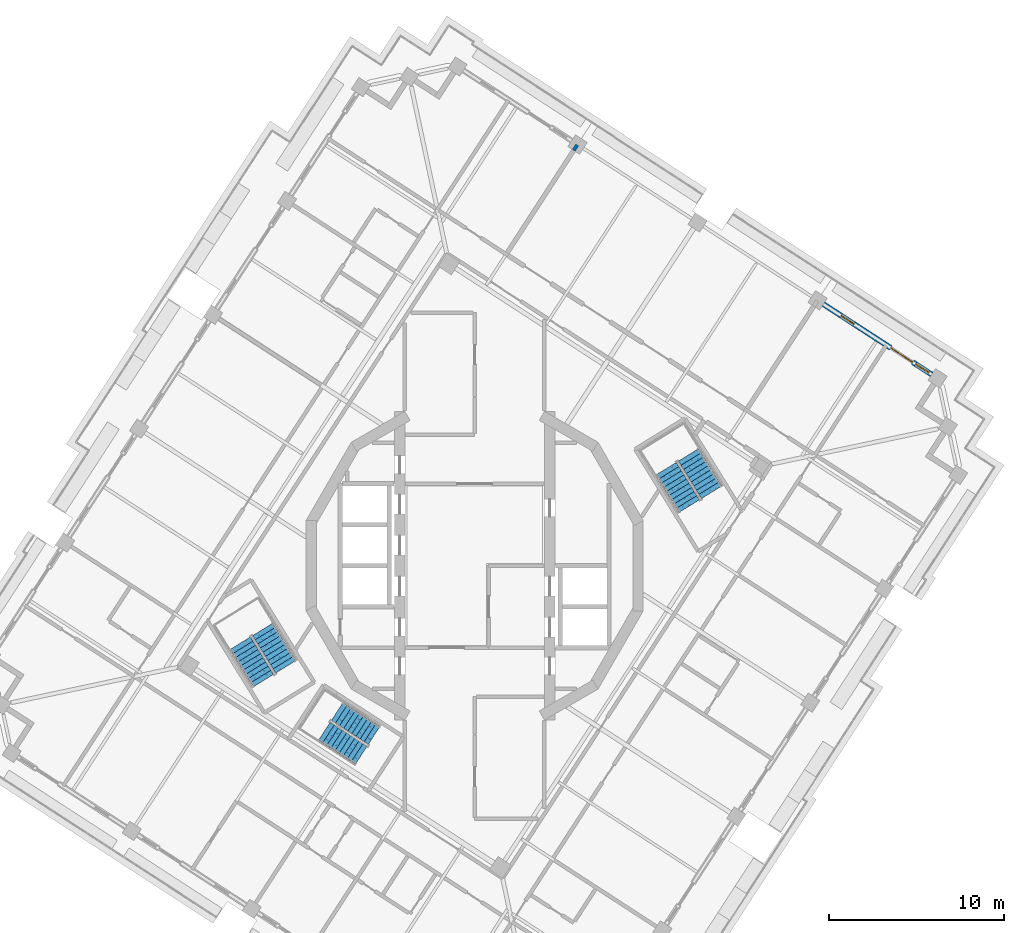
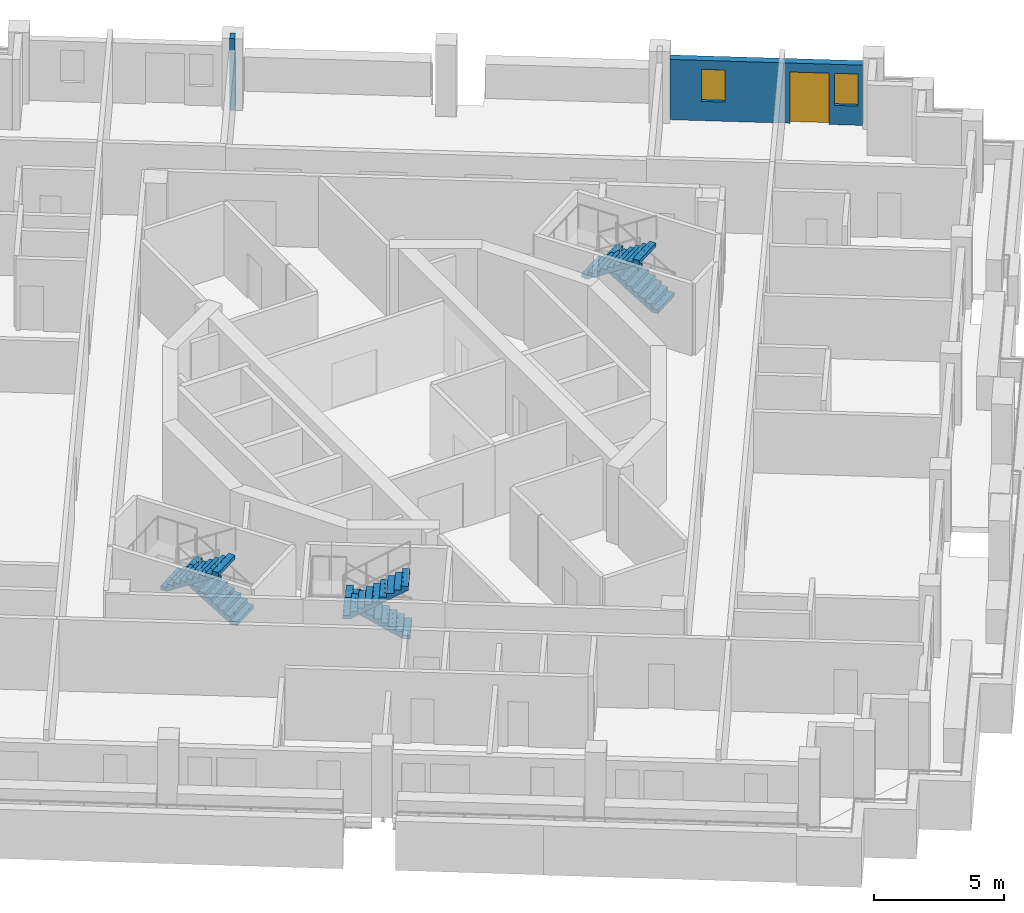
# One storey, part 10 of 15: 6 stair flights, 2 walls, 2 windows, 1 door, 3 openings, 3 elements without a shape of their own.
"""IFC4 building model written with IfcOpenShell, lengths in metres."""

from ifc_helpers import new_model, si_unit, direction, frame, frame_2d, origin, place, context, subcontext, project, spatial, polyline, rectangle, outline, extrude, material, layer, layer_set, type_object, element, fill, aggregate, save


model = new_model("IFC4")

# Units and contexts
model_context = context("Model", 3, precision=1e-05, world=origin(), true_north=direction((0.0, 1.0)))
body_context = subcontext(model_context, "Body", "Model", "MODEL_VIEW")
ifc_project = project(units=[si_unit("LENGTHUNIT", "METRE"), si_unit("AREAUNIT", "SQUARE_METRE"), si_unit("VOLUMEUNIT", "CUBIC_METRE"), si_unit("PLANEANGLEUNIT", "RADIAN"), si_unit("MASSUNIT", "GRAM", prefix="KILO")], contexts=[model_context])

# Site, building, storey
site_placement = place(None, origin())
site = spatial("IfcSite", under=ifc_project, at=site_placement, CompositionType="ELEMENT")
building_placement = place(site_placement, origin())
building = spatial("IfcBuilding", under=site, at=building_placement, Name="Cantera Rosa Tower", CompositionType="ELEMENT")
storey_placement = place(building_placement, frame((0.0, 0.0, 272.10009765625)))
storey = spatial("IfcBuildingStorey", under=building, at=storey_placement, Name="L61", CompositionType="ELEMENT", Elevation=272.10009765625)

# Wall, openings, windows, door
ifc_material_1 = material(Name="Hollow clay masonry with cantera stone cladding", Category="masonry")
ifc_layer_1 = layer(ifc_material_1, 0.300048828125)
ifc_layer_set_1 = layer_set([ifc_layer_1], Name="EW-LOGGIA 300 H2820")
wall_type_1 = type_object("IfcWallType", Name="EW-LOGGIA 300 H2820", PredefinedType="SOLIDWALL", material=ifc_layer_set_1)
wall_1_placement = place(storey_placement, frame((26.1904296875, 10.95263671875, 0.0), z_axis=(0.0, 0.0, 1.0), x_axis=(-0.838669679097, 0.544640403719, 0.0)))
wall_1 = element("IfcWall", 1, at=wall_1_placement, inside=storey, type_object=wall_type_1, Name="EN-L61-W01", PredefinedType="SOLIDWALL", context=body_context, shape_type="SweptSolid", body=[
    extrude(rectangle(XDim=7.39990234375, YDim=0.300048828125, at=frame_2d((3.699951171875, 0.0))), origin(), (0.0, 0.0, 1.0), 2.81982421875),
])
opening_1_placement = place(wall_1_placement, frame((0.199951171875, 0.0, 0.89990234375)))
opening_1 = element("IfcOpeningElement", 2, at=opening_1_placement, cuts=wall_1, Name="Opening L61-W01", PredefinedType="OPENING", context=body_context, shape_type="SweptSolid", body=[
    extrude(rectangle(XDim=0.89990234375, YDim=1.5, at=frame_2d((0.449951171875, 0.75))), frame((0.0, 0.159912109375, 0.0), z_axis=(0.0, -1.0, 0.0), x_axis=(1.0, 0.0, 0.0)), (0.0, 0.0, 1.0), 0.320068359375),
])
opening_2_placement = place(wall_1_placement, frame((1.300048828125, 0.0, 0.0)))
opening_2 = element("IfcOpeningElement", 3, at=opening_2_placement, cuts=wall_1, Name="Opening L61-TD02", PredefinedType="OPENING", context=body_context, shape_type="SweptSolid", body=[
    extrude(rectangle(XDim=1.5, YDim=2.39990234375, at=frame_2d((0.75, 1.199951171875))), frame((0.0, 0.159912109375, 0.0), z_axis=(0.0, -1.0, 0.0), x_axis=(1.0, 0.0, 0.0)), (0.0, 0.0, 1.0), 0.320068359375),
])
opening_3_placement = place(wall_1_placement, frame((5.300048828125, 0.0, 0.89990234375)))
opening_3 = element("IfcOpeningElement", 4, at=opening_3_placement, cuts=wall_1, Name="Opening L61-W03", PredefinedType="OPENING", context=body_context, shape_type="SweptSolid", body=[
    extrude(rectangle(XDim=0.89990234375, YDim=1.5, at=frame_2d((0.449951171875, 0.75))), frame((0.0, 0.159912109375, 0.0), z_axis=(0.0, -1.0, 0.0), x_axis=(1.0, 0.0, 0.0)), (0.0, 0.0, 1.0), 0.320068359375),
])
ifc_material_2 = material(Name="Aluminium frame with clear glass", Category="aluminium")
window_type = type_object("IfcWindowType", Name="Residential window 900x1500", PartitioningType="SINGLE_PANEL", PredefinedType="WINDOW", material=ifc_material_2)
window_1_placement = place(opening_1_placement, origin())
window_1 = element("IfcWindow", 5, at=window_1_placement, inside=storey, type_object=window_type, Name="WINDOW L61-W01", OverallHeight=1.5, OverallWidth=0.89990234375, PartitioningType="SINGLE_PANEL", PredefinedType="WINDOW", context=body_context, shape_type="SweptSolid", body=[
    extrude(rectangle(XDim=0.89990234375, YDim=1.5, at=frame_2d((0.449951171875, 0.75))), frame((0.0, 0.030029296875, 0.0), z_axis=(0.0, -1.0, 0.0), x_axis=(1.0, 0.0, 0.0)), (0.0, 0.0, 1.0), 0.06005859375),
])
fill(opening_1, window_1)
window_2_placement = place(opening_3_placement, origin())
window_2 = element("IfcWindow", 6, at=window_2_placement, inside=storey, type_object=window_type, Name="WINDOW L61-W03", OverallHeight=1.5, OverallWidth=0.89990234375, PartitioningType="SINGLE_PANEL", PredefinedType="WINDOW", context=body_context, shape_type="SweptSolid", body=[
    extrude(rectangle(XDim=0.89990234375, YDim=1.5, at=frame_2d((0.449951171875, 0.75))), frame((0.0, 0.030029296875, 0.0), z_axis=(0.0, -1.0, 0.0), x_axis=(1.0, 0.0, 0.0)), (0.0, 0.0, 1.0), 0.06005859375),
])
fill(opening_3, window_2)
ifc_material_3 = material(Name="Aluminium frame with clear glass", Category="aluminium")
door_type = type_object("IfcDoorType", Name="TD-R 1500x2400", OperationType="NOTDEFINED", PredefinedType="DOOR", material=ifc_material_3)
door_placement = place(opening_2_placement, origin())
door = element("IfcDoor", 7, at=door_placement, inside=storey, type_object=door_type, Name="LOGGIA DOOR L61-TD02", OperationType="SLIDING_TO_LEFT", OverallHeight=2.39990234375, OverallWidth=1.5, PredefinedType="DOOR", context=body_context, shape_type="SweptSolid", body=[
    extrude(rectangle(XDim=1.5, YDim=2.39990234375, at=frame_2d((0.75, 1.199951171875))), frame((0.0, 0.02490234375, 0.0), z_axis=(0.0, -1.0, 0.0), x_axis=(1.0, 0.0, 0.0)), (0.0, 0.0, 1.0), 0.050048828125),
])
fill(opening_2, door)

# Wall
ifc_material_4 = material(Name="Gypsum board partition")
ifc_layer_2 = layer(ifc_material_4, 0.199951171875)
ifc_layer_set_2 = layer_set([ifc_layer_2], Name="PARTITION 200 H3350")
wall_type_2 = type_object("IfcWallType", Name="PARTITION 200 H3350", PredefinedType="PARTITIONING", material=ifc_layer_set_2)
wall_2_placement = place(storey_placement, frame((5.87841796875, 24.107666015625, 0.0), z_axis=(0.0, 0.0, 1.0), x_axis=(-0.544918783731, -0.838488830657, 0.0)))
element("IfcWall", 8, at=wall_2_placement, inside=storey, type_object=wall_type_2, Name="PARTITION L61-075", PredefinedType="PARTITIONING", context=body_context, shape_type="SweptSolid", body=[
    extrude(rectangle(XDim=0.3701171875, YDim=0.199951171875, at=frame_2d((0.18505859375, 0.0))), origin(), (0.0, 0.0, 1.0), 3.349853515625),
])

# Stair, stair flights
ifc_material_5 = material(Name="Concrete C35/45", Category="concrete")
stair_type_1 = type_object("IfcStairType", Name="EXIT STAIR 1200 DOGLEG", PredefinedType="HALF_TURN_STAIR", material=ifc_material_5)
stair_1_placement = place(storey_placement, origin())
stair_1 = element("IfcStair", 9, at=stair_1_placement, inside=storey, type_object=stair_type_1, Name="L61 ST-53", PredefinedType="HALF_TURN_STAIR")
ifc_material_6 = material(Name="Concrete C35/45", Category="concrete")
stair_flight_type_1 = type_object("IfcStairFlightType", Name="STAIR FLIGHT 1200 R20x180", PredefinedType="STRAIGHT", material=ifc_material_6)
stair_flight_1_placement = place(storey_placement, frame((-5.76318359375, -9.728271484375, 0.0), z_axis=(0.0, 0.0, 1.0), x_axis=(-0.838670567945, 0.544639035015, 0.0)))
stair_flight_1 = element("IfcStairFlight", 10, at=stair_flight_1_placement, type_object=stair_flight_type_1, Name="ST-53 flight 1", NumberOfRisers=10, NumberOfTreads=9, PredefinedType="STRAIGHT", RiserHeight=0.18, TreadLength=0.28, context=body_context, shape_type="SweptSolid", body=[
    extrude(outline(polyline([(0.0, 0.0), (0.0, 0.179931640625), (0.280029296875, 0.179931640625), (0.280029296875, 0.360107421875), (0.56005859375, 0.360107421875), (0.56005859375, 0.5400390625), (0.840087890625, 0.5400390625), (0.840087890625, 0.719970703125), (1.1201171875, 0.719970703125), (1.1201171875, 0.89990234375), (1.39990234375, 0.89990234375), (1.39990234375, 1.080078125), (1.679931640625, 1.080078125), (1.679931640625, 1.260009765625), (1.9599609375, 1.260009765625), (1.9599609375, 1.43994140625), (2.239990234375, 1.43994140625), (2.239990234375, 1.6201171875), (2.52001953125, 1.6201171875), (2.52001953125, 1.800048828125), (2.52001953125, 1.44189453125), (0.277099609375, 0.0), (0.0, 0.0)])), frame((0.0, 0.60009765625, 0.0), z_axis=(0.0, -1.0, 0.0), x_axis=(1.0, 0.0, 0.0)), (0.0, 0.0, 1.0), 0.298583984375),
    extrude(outline(polyline([(0.0, 0.0), (0.0, 0.179931640625), (0.280029296875, 0.179931640625), (0.280029296875, 0.360107421875), (0.56005859375, 0.360107421875), (0.56005859375, 0.5400390625), (0.840087890625, 0.5400390625), (0.840087890625, 0.719970703125), (1.1201171875, 0.719970703125), (1.1201171875, 0.89990234375), (1.39990234375, 0.89990234375), (1.39990234375, 1.080078125), (1.679931640625, 1.080078125), (1.679931640625, 1.260009765625), (1.9599609375, 1.260009765625), (1.9599609375, 1.43994140625), (2.239990234375, 1.43994140625), (2.239990234375, 1.6201171875), (2.52001953125, 1.6201171875), (2.52001953125, 1.800048828125), (2.52001953125, 1.44189453125), (0.277099609375, 0.0), (0.0, 0.0)])), frame((0.0, 0.29931640625, 0.0), z_axis=(0.0, -1.0, 0.0), x_axis=(1.0, 0.0, 0.0)), (0.0, 0.0, 1.0), 0.298583984375),
    extrude(outline(polyline([(0.0, 0.0), (0.0, 0.179931640625), (0.280029296875, 0.179931640625), (0.280029296875, 0.360107421875), (0.56005859375, 0.360107421875), (0.56005859375, 0.5400390625), (0.840087890625, 0.5400390625), (0.840087890625, 0.719970703125), (1.1201171875, 0.719970703125), (1.1201171875, 0.89990234375), (1.39990234375, 0.89990234375), (1.39990234375, 1.080078125), (1.679931640625, 1.080078125), (1.679931640625, 1.260009765625), (1.9599609375, 1.260009765625), (1.9599609375, 1.43994140625), (2.239990234375, 1.43994140625), (2.239990234375, 1.6201171875), (2.52001953125, 1.6201171875), (2.52001953125, 1.800048828125), (2.52001953125, 1.44189453125), (0.277099609375, 0.0), (0.0, 0.0)])), frame((0.0, -0.0009765625, 0.0), z_axis=(0.0, -1.0, 0.0), x_axis=(1.0, 0.0, 0.0)), (0.0, 0.0, 1.0), 0.298583984375),
    extrude(outline(polyline([(0.0, 0.0), (0.0, 0.179931640625), (0.280029296875, 0.179931640625), (0.280029296875, 0.360107421875), (0.56005859375, 0.360107421875), (0.56005859375, 0.5400390625), (0.840087890625, 0.5400390625), (0.840087890625, 0.719970703125), (1.1201171875, 0.719970703125), (1.1201171875, 0.89990234375), (1.39990234375, 0.89990234375), (1.39990234375, 1.080078125), (1.679931640625, 1.080078125), (1.679931640625, 1.260009765625), (1.9599609375, 1.260009765625), (1.9599609375, 1.43994140625), (2.239990234375, 1.43994140625), (2.239990234375, 1.6201171875), (2.52001953125, 1.6201171875), (2.52001953125, 1.800048828125), (2.52001953125, 1.44189453125), (0.277099609375, 0.0), (0.0, 0.0)])), frame((0.0, -0.3017578125, 0.0), z_axis=(0.0, -1.0, 0.0), x_axis=(1.0, 0.0, 0.0)), (0.0, 0.0, 1.0), 0.298583984375),
])
stair_flight_2_placement = place(storey_placement, frame((-8.61181640625, -9.488037109375, 1.7998046875), z_axis=(0.0, 0.0, 1.0), x_axis=(0.838670567945, -0.544639035015, 0.0)))
stair_flight_2 = element("IfcStairFlight", 11, at=stair_flight_2_placement, type_object=stair_flight_type_1, Name="ST-53 flight 2", NumberOfRisers=10, NumberOfTreads=9, PredefinedType="STRAIGHT", RiserHeight=0.18, TreadLength=0.28, context=body_context, shape_type="SweptSolid", body=[
    extrude(outline(polyline([(0.0, 0.0), (0.0, 0.179931640625), (0.280029296875, 0.179931640625), (0.280029296875, 0.360107421875), (0.56005859375, 0.360107421875), (0.56005859375, 0.5400390625), (0.840087890625, 0.5400390625), (0.840087890625, 0.719970703125), (1.1201171875, 0.719970703125), (1.1201171875, 0.89990234375), (1.39990234375, 0.89990234375), (1.39990234375, 1.080078125), (1.679931640625, 1.080078125), (1.679931640625, 1.260009765625), (1.9599609375, 1.260009765625), (1.9599609375, 1.43994140625), (2.239990234375, 1.43994140625), (2.239990234375, 1.6201171875), (2.52001953125, 1.6201171875), (2.52001953125, 1.800048828125), (2.52001953125, 1.44189453125), (0.277099609375, 0.0), (0.0, 0.0)])), frame((0.0, 0.60009765625, 0.0), z_axis=(0.0, -1.0, 0.0), x_axis=(1.0, 0.0, 0.0)), (0.0, 0.0, 1.0), 0.298583984375),
    extrude(outline(polyline([(0.0, 0.0), (0.0, 0.179931640625), (0.280029296875, 0.179931640625), (0.280029296875, 0.360107421875), (0.56005859375, 0.360107421875), (0.56005859375, 0.5400390625), (0.840087890625, 0.5400390625), (0.840087890625, 0.719970703125), (1.1201171875, 0.719970703125), (1.1201171875, 0.89990234375), (1.39990234375, 0.89990234375), (1.39990234375, 1.080078125), (1.679931640625, 1.080078125), (1.679931640625, 1.260009765625), (1.9599609375, 1.260009765625), (1.9599609375, 1.43994140625), (2.239990234375, 1.43994140625), (2.239990234375, 1.6201171875), (2.52001953125, 1.6201171875), (2.52001953125, 1.800048828125), (2.52001953125, 1.44189453125), (0.277099609375, 0.0), (0.0, 0.0)])), frame((0.0, 0.29931640625, 0.0), z_axis=(0.0, -1.0, 0.0), x_axis=(1.0, 0.0, 0.0)), (0.0, 0.0, 1.0), 0.298583984375),
    extrude(outline(polyline([(0.0, 0.0), (0.0, 0.179931640625), (0.280029296875, 0.179931640625), (0.280029296875, 0.360107421875), (0.56005859375, 0.360107421875), (0.56005859375, 0.5400390625), (0.840087890625, 0.5400390625), (0.840087890625, 0.719970703125), (1.1201171875, 0.719970703125), (1.1201171875, 0.89990234375), (1.39990234375, 0.89990234375), (1.39990234375, 1.080078125), (1.679931640625, 1.080078125), (1.679931640625, 1.260009765625), (1.9599609375, 1.260009765625), (1.9599609375, 1.43994140625), (2.239990234375, 1.43994140625), (2.239990234375, 1.6201171875), (2.52001953125, 1.6201171875), (2.52001953125, 1.800048828125), (2.52001953125, 1.44189453125), (0.277099609375, 0.0), (0.0, 0.0)])), frame((0.0, -0.0009765625, 0.0), z_axis=(0.0, -1.0, 0.0), x_axis=(1.0, 0.0, 0.0)), (0.0, 0.0, 1.0), 0.298583984375),
    extrude(outline(polyline([(0.0, 0.0), (0.0, 0.179931640625), (0.280029296875, 0.179931640625), (0.280029296875, 0.360107421875), (0.56005859375, 0.360107421875), (0.56005859375, 0.5400390625), (0.840087890625, 0.5400390625), (0.840087890625, 0.719970703125), (1.1201171875, 0.719970703125), (1.1201171875, 0.89990234375), (1.39990234375, 0.89990234375), (1.39990234375, 1.080078125), (1.679931640625, 1.080078125), (1.679931640625, 1.260009765625), (1.9599609375, 1.260009765625), (1.9599609375, 1.43994140625), (2.239990234375, 1.43994140625), (2.239990234375, 1.6201171875), (2.52001953125, 1.6201171875), (2.52001953125, 1.800048828125), (2.52001953125, 1.44189453125), (0.277099609375, 0.0), (0.0, 0.0)])), frame((0.0, -0.3017578125, 0.0), z_axis=(0.0, -1.0, 0.0), x_axis=(1.0, 0.0, 0.0)), (0.0, 0.0, 1.0), 0.298583984375),
])
aggregate(stair_1, [stair_flight_1, stair_flight_2])

ifc_material_7 = material(Name="Concrete C35/45", Category="concrete")
stair_type_2 = type_object("IfcStairType", Name="EXIT STAIR 1350 DOGLEG", PredefinedType="HALF_TURN_STAIR", material=ifc_material_7)
stair_2_placement = place(storey_placement, origin())
stair_2 = element("IfcStair", 12, at=stair_2_placement, inside=storey, type_object=stair_type_2, Name="L61 ST-51", PredefinedType="HALF_TURN_STAIR")
ifc_material_8 = material(Name="Concrete C35/45", Category="concrete")
stair_flight_type_2 = type_object("IfcStairFlightType", Name="STAIR FLIGHT 1350 R20x180", PredefinedType="STRAIGHT", material=ifc_material_8)
stair_flight_3_placement = place(storey_placement, frame((13.5732421875, 4.2021484375, 0.0), z_axis=(0.0, 0.0, 1.0), x_axis=(-0.524976585286, 0.851116669383, 0.0)))
stair_flight_3 = element("IfcStairFlight", 13, at=stair_flight_3_placement, type_object=stair_flight_type_2, Name="ST-51 flight 1", NumberOfRisers=10, NumberOfTreads=9, PredefinedType="STRAIGHT", RiserHeight=0.18, TreadLength=0.28, context=body_context, shape_type="SweptSolid", body=[
    extrude(outline(polyline([(0.0, 0.0), (0.0, 0.179931640625), (0.280029296875, 0.179931640625), (0.280029296875, 0.360107421875), (0.56005859375, 0.360107421875), (0.56005859375, 0.5400390625), (0.840087890625, 0.5400390625), (0.840087890625, 0.719970703125), (1.1201171875, 0.719970703125), (1.1201171875, 0.89990234375), (1.39990234375, 0.89990234375), (1.39990234375, 1.080078125), (1.679931640625, 1.080078125), (1.679931640625, 1.260009765625), (1.9599609375, 1.260009765625), (1.9599609375, 1.43994140625), (2.239990234375, 1.43994140625), (2.239990234375, 1.6201171875), (2.52001953125, 1.6201171875), (2.52001953125, 1.800048828125), (2.52001953125, 1.44189453125), (0.277099609375, 0.0), (0.0, 0.0)])), frame((0.0, 0.675048828125, 0.0), z_axis=(0.0, -1.0, 0.0), x_axis=(1.0, 0.0, 0.0)), (0.0, 0.0, 1.0), 0.3359375),
    extrude(outline(polyline([(0.0, 0.0), (0.0, 0.179931640625), (0.280029296875, 0.179931640625), (0.280029296875, 0.360107421875), (0.56005859375, 0.360107421875), (0.56005859375, 0.5400390625), (0.840087890625, 0.5400390625), (0.840087890625, 0.719970703125), (1.1201171875, 0.719970703125), (1.1201171875, 0.89990234375), (1.39990234375, 0.89990234375), (1.39990234375, 1.080078125), (1.679931640625, 1.080078125), (1.679931640625, 1.260009765625), (1.9599609375, 1.260009765625), (1.9599609375, 1.43994140625), (2.239990234375, 1.43994140625), (2.239990234375, 1.6201171875), (2.52001953125, 1.6201171875), (2.52001953125, 1.800048828125), (2.52001953125, 1.44189453125), (0.277099609375, 0.0), (0.0, 0.0)])), frame((0.0, 0.337158203125, 0.0), z_axis=(0.0, -1.0, 0.0), x_axis=(1.0, 0.0, 0.0)), (0.0, 0.0, 1.0), 0.3359375),
    extrude(outline(polyline([(0.0, 0.0), (0.0, 0.179931640625), (0.280029296875, 0.179931640625), (0.280029296875, 0.360107421875), (0.56005859375, 0.360107421875), (0.56005859375, 0.5400390625), (0.840087890625, 0.5400390625), (0.840087890625, 0.719970703125), (1.1201171875, 0.719970703125), (1.1201171875, 0.89990234375), (1.39990234375, 0.89990234375), (1.39990234375, 1.080078125), (1.679931640625, 1.080078125), (1.679931640625, 1.260009765625), (1.9599609375, 1.260009765625), (1.9599609375, 1.43994140625), (2.239990234375, 1.43994140625), (2.239990234375, 1.6201171875), (2.52001953125, 1.6201171875), (2.52001953125, 1.800048828125), (2.52001953125, 1.44189453125), (0.277099609375, 0.0), (0.0, 0.0)])), frame((0.0, -0.000732421875, 0.0), z_axis=(0.0, -1.0, 0.0), x_axis=(1.0, 0.0, 0.0)), (0.0, 0.0, 1.0), 0.3359375),
    extrude(outline(polyline([(0.0, 0.0), (0.0, 0.179931640625), (0.280029296875, 0.179931640625), (0.280029296875, 0.360107421875), (0.56005859375, 0.360107421875), (0.56005859375, 0.5400390625), (0.840087890625, 0.5400390625), (0.840087890625, 0.719970703125), (1.1201171875, 0.719970703125), (1.1201171875, 0.89990234375), (1.39990234375, 0.89990234375), (1.39990234375, 1.080078125), (1.679931640625, 1.080078125), (1.679931640625, 1.260009765625), (1.9599609375, 1.260009765625), (1.9599609375, 1.43994140625), (2.239990234375, 1.43994140625), (2.239990234375, 1.6201171875), (2.52001953125, 1.6201171875), (2.52001953125, 1.800048828125), (2.52001953125, 1.44189453125), (0.277099609375, 0.0), (0.0, 0.0)])), frame((0.0, -0.338623046875, 0.0), z_axis=(0.0, -1.0, 0.0), x_axis=(1.0, 0.0, 0.0)), (0.0, 0.0, 1.0), 0.3359375),
])
stair_flight_4_placement = place(storey_placement, frame((10.9736328125, 5.5595703125, 1.7998046875), z_axis=(0.0, 0.0, 1.0), x_axis=(0.524976585286, -0.851116669383, 0.0)))
stair_flight_4 = element("IfcStairFlight", 14, at=stair_flight_4_placement, type_object=stair_flight_type_2, Name="ST-51 flight 2", NumberOfRisers=10, NumberOfTreads=9, PredefinedType="STRAIGHT", RiserHeight=0.18, TreadLength=0.28, context=body_context, shape_type="SweptSolid", body=[
    extrude(outline(polyline([(0.0, 0.0), (0.0, 0.179931640625), (0.280029296875, 0.179931640625), (0.280029296875, 0.360107421875), (0.56005859375, 0.360107421875), (0.56005859375, 0.5400390625), (0.840087890625, 0.5400390625), (0.840087890625, 0.719970703125), (1.1201171875, 0.719970703125), (1.1201171875, 0.89990234375), (1.39990234375, 0.89990234375), (1.39990234375, 1.080078125), (1.679931640625, 1.080078125), (1.679931640625, 1.260009765625), (1.9599609375, 1.260009765625), (1.9599609375, 1.43994140625), (2.239990234375, 1.43994140625), (2.239990234375, 1.6201171875), (2.52001953125, 1.6201171875), (2.52001953125, 1.800048828125), (2.52001953125, 1.44189453125), (0.277099609375, 0.0), (0.0, 0.0)])), frame((0.0, 0.675048828125, 0.0), z_axis=(0.0, -1.0, 0.0), x_axis=(1.0, 0.0, 0.0)), (0.0, 0.0, 1.0), 0.3359375),
    extrude(outline(polyline([(0.0, 0.0), (0.0, 0.179931640625), (0.280029296875, 0.179931640625), (0.280029296875, 0.360107421875), (0.56005859375, 0.360107421875), (0.56005859375, 0.5400390625), (0.840087890625, 0.5400390625), (0.840087890625, 0.719970703125), (1.1201171875, 0.719970703125), (1.1201171875, 0.89990234375), (1.39990234375, 0.89990234375), (1.39990234375, 1.080078125), (1.679931640625, 1.080078125), (1.679931640625, 1.260009765625), (1.9599609375, 1.260009765625), (1.9599609375, 1.43994140625), (2.239990234375, 1.43994140625), (2.239990234375, 1.6201171875), (2.52001953125, 1.6201171875), (2.52001953125, 1.800048828125), (2.52001953125, 1.44189453125), (0.277099609375, 0.0), (0.0, 0.0)])), frame((0.0, 0.337158203125, 0.0), z_axis=(0.0, -1.0, 0.0), x_axis=(1.0, 0.0, 0.0)), (0.0, 0.0, 1.0), 0.3359375),
    extrude(outline(polyline([(0.0, 0.0), (0.0, 0.179931640625), (0.280029296875, 0.179931640625), (0.280029296875, 0.360107421875), (0.56005859375, 0.360107421875), (0.56005859375, 0.5400390625), (0.840087890625, 0.5400390625), (0.840087890625, 0.719970703125), (1.1201171875, 0.719970703125), (1.1201171875, 0.89990234375), (1.39990234375, 0.89990234375), (1.39990234375, 1.080078125), (1.679931640625, 1.080078125), (1.679931640625, 1.260009765625), (1.9599609375, 1.260009765625), (1.9599609375, 1.43994140625), (2.239990234375, 1.43994140625), (2.239990234375, 1.6201171875), (2.52001953125, 1.6201171875), (2.52001953125, 1.800048828125), (2.52001953125, 1.44189453125), (0.277099609375, 0.0), (0.0, 0.0)])), frame((0.0, -0.000732421875, 0.0), z_axis=(0.0, -1.0, 0.0), x_axis=(1.0, 0.0, 0.0)), (0.0, 0.0, 1.0), 0.3359375),
    extrude(outline(polyline([(0.0, 0.0), (0.0, 0.179931640625), (0.280029296875, 0.179931640625), (0.280029296875, 0.360107421875), (0.56005859375, 0.360107421875), (0.56005859375, 0.5400390625), (0.840087890625, 0.5400390625), (0.840087890625, 0.719970703125), (1.1201171875, 0.719970703125), (1.1201171875, 0.89990234375), (1.39990234375, 0.89990234375), (1.39990234375, 1.080078125), (1.679931640625, 1.080078125), (1.679931640625, 1.260009765625), (1.9599609375, 1.260009765625), (1.9599609375, 1.43994140625), (2.239990234375, 1.43994140625), (2.239990234375, 1.6201171875), (2.52001953125, 1.6201171875), (2.52001953125, 1.800048828125), (2.52001953125, 1.44189453125), (0.277099609375, 0.0), (0.0, 0.0)])), frame((0.0, -0.338623046875, 0.0), z_axis=(0.0, -1.0, 0.0), x_axis=(1.0, 0.0, 0.0)), (0.0, 0.0, 1.0), 0.3359375),
])
aggregate(stair_2, [stair_flight_3, stair_flight_4])

stair_3_placement = place(storey_placement, origin())
stair_3 = element("IfcStair", 15, at=stair_3_placement, inside=storey, type_object=stair_type_2, Name="L61 ST-52", PredefinedType="HALF_TURN_STAIR")
stair_flight_5_placement = place(storey_placement, frame((-10.82666015625, -5.7978515625, 0.0), z_axis=(0.0, 0.0, 1.0), x_axis=(-0.524976585286, 0.851116669383, 0.0)))
stair_flight_5 = element("IfcStairFlight", 16, at=stair_flight_5_placement, type_object=stair_flight_type_2, Name="ST-52 flight 1", NumberOfRisers=10, NumberOfTreads=9, PredefinedType="STRAIGHT", RiserHeight=0.18, TreadLength=0.28, context=body_context, shape_type="SweptSolid", body=[
    extrude(outline(polyline([(0.0, 0.0), (0.0, 0.179931640625), (0.280029296875, 0.179931640625), (0.280029296875, 0.360107421875), (0.56005859375, 0.360107421875), (0.56005859375, 0.5400390625), (0.840087890625, 0.5400390625), (0.840087890625, 0.719970703125), (1.1201171875, 0.719970703125), (1.1201171875, 0.89990234375), (1.39990234375, 0.89990234375), (1.39990234375, 1.080078125), (1.679931640625, 1.080078125), (1.679931640625, 1.260009765625), (1.9599609375, 1.260009765625), (1.9599609375, 1.43994140625), (2.239990234375, 1.43994140625), (2.239990234375, 1.6201171875), (2.52001953125, 1.6201171875), (2.52001953125, 1.800048828125), (2.52001953125, 1.44189453125), (0.277099609375, 0.0), (0.0, 0.0)])), frame((0.0, 0.675048828125, 0.0), z_axis=(0.0, -1.0, 0.0), x_axis=(1.0, 0.0, 0.0)), (0.0, 0.0, 1.0), 0.3359375),
    extrude(outline(polyline([(0.0, 0.0), (0.0, 0.179931640625), (0.280029296875, 0.179931640625), (0.280029296875, 0.360107421875), (0.56005859375, 0.360107421875), (0.56005859375, 0.5400390625), (0.840087890625, 0.5400390625), (0.840087890625, 0.719970703125), (1.1201171875, 0.719970703125), (1.1201171875, 0.89990234375), (1.39990234375, 0.89990234375), (1.39990234375, 1.080078125), (1.679931640625, 1.080078125), (1.679931640625, 1.260009765625), (1.9599609375, 1.260009765625), (1.9599609375, 1.43994140625), (2.239990234375, 1.43994140625), (2.239990234375, 1.6201171875), (2.52001953125, 1.6201171875), (2.52001953125, 1.800048828125), (2.52001953125, 1.44189453125), (0.277099609375, 0.0), (0.0, 0.0)])), frame((0.0, 0.337158203125, 0.0), z_axis=(0.0, -1.0, 0.0), x_axis=(1.0, 0.0, 0.0)), (0.0, 0.0, 1.0), 0.3359375),
    extrude(outline(polyline([(0.0, 0.0), (0.0, 0.179931640625), (0.280029296875, 0.179931640625), (0.280029296875, 0.360107421875), (0.56005859375, 0.360107421875), (0.56005859375, 0.5400390625), (0.840087890625, 0.5400390625), (0.840087890625, 0.719970703125), (1.1201171875, 0.719970703125), (1.1201171875, 0.89990234375), (1.39990234375, 0.89990234375), (1.39990234375, 1.080078125), (1.679931640625, 1.080078125), (1.679931640625, 1.260009765625), (1.9599609375, 1.260009765625), (1.9599609375, 1.43994140625), (2.239990234375, 1.43994140625), (2.239990234375, 1.6201171875), (2.52001953125, 1.6201171875), (2.52001953125, 1.800048828125), (2.52001953125, 1.44189453125), (0.277099609375, 0.0), (0.0, 0.0)])), frame((0.0, -0.000732421875, 0.0), z_axis=(0.0, -1.0, 0.0), x_axis=(1.0, 0.0, 0.0)), (0.0, 0.0, 1.0), 0.3359375),
    extrude(outline(polyline([(0.0, 0.0), (0.0, 0.179931640625), (0.280029296875, 0.179931640625), (0.280029296875, 0.360107421875), (0.56005859375, 0.360107421875), (0.56005859375, 0.5400390625), (0.840087890625, 0.5400390625), (0.840087890625, 0.719970703125), (1.1201171875, 0.719970703125), (1.1201171875, 0.89990234375), (1.39990234375, 0.89990234375), (1.39990234375, 1.080078125), (1.679931640625, 1.080078125), (1.679931640625, 1.260009765625), (1.9599609375, 1.260009765625), (1.9599609375, 1.43994140625), (2.239990234375, 1.43994140625), (2.239990234375, 1.6201171875), (2.52001953125, 1.6201171875), (2.52001953125, 1.800048828125), (2.52001953125, 1.44189453125), (0.277099609375, 0.0), (0.0, 0.0)])), frame((0.0, -0.338623046875, 0.0), z_axis=(0.0, -1.0, 0.0), x_axis=(1.0, 0.0, 0.0)), (0.0, 0.0, 1.0), 0.3359375),
])
stair_flight_6_placement = place(storey_placement, frame((-13.42626953125, -4.4404296875, 1.7998046875), z_axis=(0.0, 0.0, 1.0), x_axis=(0.524976585286, -0.851116669383, 0.0)))
stair_flight_6 = element("IfcStairFlight", 17, at=stair_flight_6_placement, type_object=stair_flight_type_2, Name="ST-52 flight 2", NumberOfRisers=10, NumberOfTreads=9, PredefinedType="STRAIGHT", RiserHeight=0.18, TreadLength=0.28, context=body_context, shape_type="SweptSolid", body=[
    extrude(outline(polyline([(0.0, 0.0), (0.0, 0.179931640625), (0.280029296875, 0.179931640625), (0.280029296875, 0.360107421875), (0.56005859375, 0.360107421875), (0.56005859375, 0.5400390625), (0.840087890625, 0.5400390625), (0.840087890625, 0.719970703125), (1.1201171875, 0.719970703125), (1.1201171875, 0.89990234375), (1.39990234375, 0.89990234375), (1.39990234375, 1.080078125), (1.679931640625, 1.080078125), (1.679931640625, 1.260009765625), (1.9599609375, 1.260009765625), (1.9599609375, 1.43994140625), (2.239990234375, 1.43994140625), (2.239990234375, 1.6201171875), (2.52001953125, 1.6201171875), (2.52001953125, 1.800048828125), (2.52001953125, 1.44189453125), (0.277099609375, 0.0), (0.0, 0.0)])), frame((0.0, 0.675048828125, 0.0), z_axis=(0.0, -1.0, 0.0), x_axis=(1.0, 0.0, 0.0)), (0.0, 0.0, 1.0), 0.3359375),
    extrude(outline(polyline([(0.0, 0.0), (0.0, 0.179931640625), (0.280029296875, 0.179931640625), (0.280029296875, 0.360107421875), (0.56005859375, 0.360107421875), (0.56005859375, 0.5400390625), (0.840087890625, 0.5400390625), (0.840087890625, 0.719970703125), (1.1201171875, 0.719970703125), (1.1201171875, 0.89990234375), (1.39990234375, 0.89990234375), (1.39990234375, 1.080078125), (1.679931640625, 1.080078125), (1.679931640625, 1.260009765625), (1.9599609375, 1.260009765625), (1.9599609375, 1.43994140625), (2.239990234375, 1.43994140625), (2.239990234375, 1.6201171875), (2.52001953125, 1.6201171875), (2.52001953125, 1.800048828125), (2.52001953125, 1.44189453125), (0.277099609375, 0.0), (0.0, 0.0)])), frame((0.0, 0.337158203125, 0.0), z_axis=(0.0, -1.0, 0.0), x_axis=(1.0, 0.0, 0.0)), (0.0, 0.0, 1.0), 0.3359375),
    extrude(outline(polyline([(0.0, 0.0), (0.0, 0.179931640625), (0.280029296875, 0.179931640625), (0.280029296875, 0.360107421875), (0.56005859375, 0.360107421875), (0.56005859375, 0.5400390625), (0.840087890625, 0.5400390625), (0.840087890625, 0.719970703125), (1.1201171875, 0.719970703125), (1.1201171875, 0.89990234375), (1.39990234375, 0.89990234375), (1.39990234375, 1.080078125), (1.679931640625, 1.080078125), (1.679931640625, 1.260009765625), (1.9599609375, 1.260009765625), (1.9599609375, 1.43994140625), (2.239990234375, 1.43994140625), (2.239990234375, 1.6201171875), (2.52001953125, 1.6201171875), (2.52001953125, 1.800048828125), (2.52001953125, 1.44189453125), (0.277099609375, 0.0), (0.0, 0.0)])), frame((0.0, -0.000732421875, 0.0), z_axis=(0.0, -1.0, 0.0), x_axis=(1.0, 0.0, 0.0)), (0.0, 0.0, 1.0), 0.3359375),
    extrude(outline(polyline([(0.0, 0.0), (0.0, 0.179931640625), (0.280029296875, 0.179931640625), (0.280029296875, 0.360107421875), (0.56005859375, 0.360107421875), (0.56005859375, 0.5400390625), (0.840087890625, 0.5400390625), (0.840087890625, 0.719970703125), (1.1201171875, 0.719970703125), (1.1201171875, 0.89990234375), (1.39990234375, 0.89990234375), (1.39990234375, 1.080078125), (1.679931640625, 1.080078125), (1.679931640625, 1.260009765625), (1.9599609375, 1.260009765625), (1.9599609375, 1.43994140625), (2.239990234375, 1.43994140625), (2.239990234375, 1.6201171875), (2.52001953125, 1.6201171875), (2.52001953125, 1.800048828125), (2.52001953125, 1.44189453125), (0.277099609375, 0.0), (0.0, 0.0)])), frame((0.0, -0.338623046875, 0.0), z_axis=(0.0, -1.0, 0.0), x_axis=(1.0, 0.0, 0.0)), (0.0, 0.0, 1.0), 0.3359375),
])
aggregate(stair_3, [stair_flight_5, stair_flight_6])

save(model, "model.ifc")
